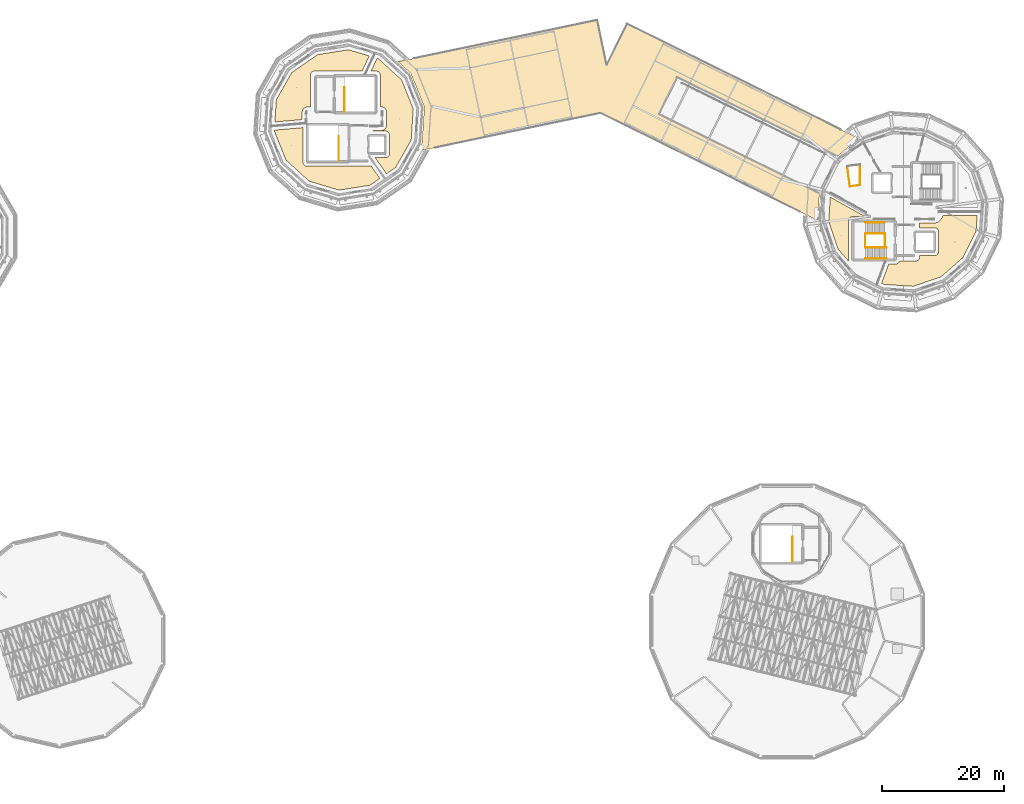
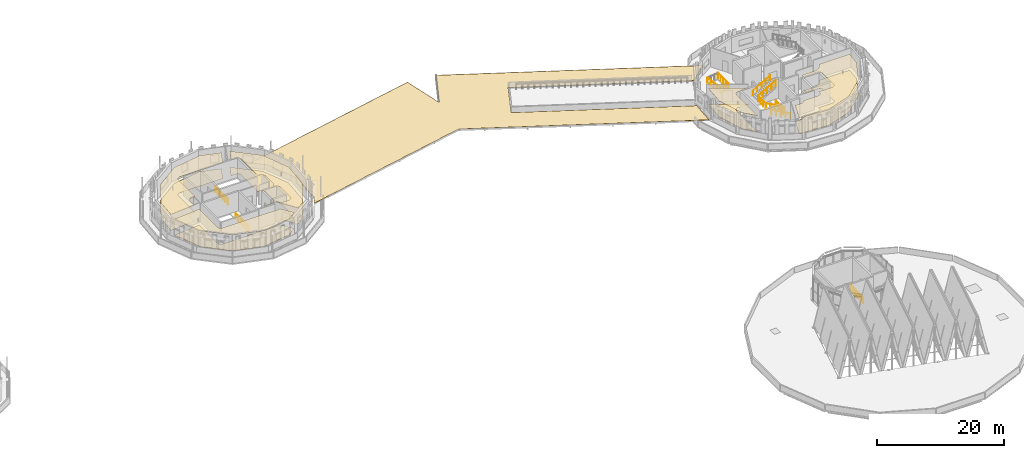
# One storey, part 50 of 51: 12 railings, 11 coverings.
"""IFC4 building model written with IfcOpenShell, lengths in metres."""

from ifc_helpers import new_model, si_unit, direction, frame, origin, origin_2d, place, context, subcontext, project, spatial, polyline, circle, outline, extrude, material, layer, layer_set, type_object, element, save


model = new_model("IFC4")

# Units and contexts
model_context = context("Model", 3, precision=1e-05, world=origin(), true_north=direction((0.0, 1.0)))
body_context = subcontext(model_context, "Body", "Model", "MODEL_VIEW")
ifc_project = project(units=[si_unit("LENGTHUNIT", "METRE"), si_unit("AREAUNIT", "SQUARE_METRE"), si_unit("VOLUMEUNIT", "CUBIC_METRE"), si_unit("PLANEANGLEUNIT", "RADIAN"), si_unit("MASSUNIT", "GRAM", prefix="KILO")], contexts=[model_context])

# Site, building, storey
site_placement = place(None, origin())
site = spatial("IfcSite", under=ifc_project, at=site_placement, CompositionType="ELEMENT")
building_placement = place(site_placement, origin())
building = spatial("IfcBuilding", under=site, at=building_placement, Name="Wrenclough Park School", CompositionType="ELEMENT")
storey_placement = place(building_placement, frame((0.0, 0.0, 16.800048828125)))
storey = spatial("IfcBuildingStorey", under=building, at=storey_placement, Name="L04", CompositionType="ELEMENT", Elevation=16.800048828125)

# Coverings
ifc_material_1 = material(Name="Patinated copper-alloy standing-seam eave cladding", Category="aluminium")
ifc_layer_1 = layer(ifc_material_1, 0.044921875)
ifc_layer_set_1 = layer_set([ifc_layer_1], Name="Patinated copper-alloy standing-seam eave cladding")
covering_type_1 = type_object("IfcCoveringType", Name="ENV-COV-EAVE", PredefinedType="CLADDING", material=ifc_layer_set_1)
covering_1_placement = place(storey_placement, origin())
element("IfcCovering", 1, at=covering_1_placement, inside=storey, type_object=covering_type_1, Name="Patinated copper overhanging eave cladding EAVE-W45-L04", PredefinedType="CLADDING", context=body_context, shape_type="SweptSolid", body=[
    extrude(outline(polyline([(96.1748046875, 110.593017578125), (95.780517578125, 104.681884765625), (95.039306640625, 103.357421875), (124.998046875, 109.627685546875), (160.504638671875, 92.0576171875), (160.789794921875, 96.40771484375), (134.454345703125, 109.4072265625), (137.450927734375, 115.575439453125), (163.853515625, 102.612548828125), (167.151123046875, 105.504638671875), (129.326416015625, 124.221923828125), (126.0, 117.5), (124.46337890625, 124.8408203125), (91.8681640625, 118.018798828125), (93.968994140625, 116.091796875), (96.1748046875, 110.593017578125)])), origin(), (0.0, 0.0, 1.0), 0.044921875),
])
ifc_material_2 = material(Name="Class A mineral-fibre acoustic ceiling raft", Category="gypsum")
ifc_layer_2 = layer(ifc_material_2, 0.044921875)
ifc_layer_set_2 = layer_set([ifc_layer_2], Name="Class A mineral-fibre acoustic ceiling raft")
covering_type_2 = type_object("IfcCoveringType", Name="INT-COV-CEIL", PredefinedType="CEILING", material=ifc_layer_set_2)
covering_2_placement = place(storey_placement, frame((0.0, 0.0, 3.054931640625)))
element("IfcCovering", 2, at=covering_2_placement, inside=storey, type_object=covering_type_2, Name="GCSE Seminar Classroom 1 acoustic ceiling raft", PredefinedType="CEILING", context=body_context, shape_type="SweptSolid", body=[
    extrude(outline(polyline([(77.00390625, 110.60009765625), (77.530029296875, 110.5966796875), (77.530029296875, 115.820068359375), (77.54248046875, 115.94677734375), (77.57958984375, 116.068603515625), (77.639404296875, 116.18115234375), (77.677490234375, 116.232421875), (77.767578125, 116.322509765625), (77.87353515625, 116.393310546875), (77.9912109375, 116.44189453125), (78.05322265625, 116.45751953125), (78.179931640625, 116.469970703125), (85.999267578125, 116.469970703125), (87.16259765625, 118.964599609375), (83.774169921875, 119.982177734375), (78.715576171875, 119.180908203125), (74.505615234375, 116.26416015625), (71.97802734375, 111.809814453125), (71.732421875, 108.166748046875), (76.203369140625, 108.557861328125), (76.202392578125, 109.8544921875), (76.22119140625, 109.965087890625), (76.27197265625, 110.11376953125), (76.326416015625, 110.229248046875), (76.36181640625, 110.2822265625), (76.447509765625, 110.376708984375), (76.550048828125, 110.452880859375), (76.77587890625, 110.560302734375), (76.88818359375, 110.59033203125), (77.00390625, 110.60009765625)])), origin(), (0.0, 0.0, 1.0), 0.044921875),
])
covering_3_placement = place(storey_placement, frame((0.0, 0.0, 3.054931640625)))
element("IfcCovering", 3, at=covering_3_placement, inside=storey, type_object=covering_type_2, Name="Environmental Science Laboratory acoustic ceiling raft", PredefinedType="CEILING", context=body_context, shape_type="SweptSolid", body=[
    extrude(outline(polyline([(76.330078125, 101.580078125), (76.330078125, 107.24365234375), (71.642578125, 106.833740234375), (71.633544921875, 106.69970703125), (73.540283203125, 101.9462890625), (77.320556640625, 98.490966796875), (82.225830078125, 97.017822265625), (87.284423828125, 97.819091796875), (88.901123046875, 98.939208984375), (87.4453125, 101.01806640625), (87.36865234375, 100.9794921875), (87.30859375, 100.9580078125), (87.246826171875, 100.9423828125), (87.1201171875, 100.929931640625), (76.916259765625, 100.93310546875), (76.791259765625, 100.9580078125), (76.673583984375, 101.0068359375), (76.567626953125, 101.077392578125), (76.4775390625, 101.16748046875), (76.40673828125, 101.273681640625), (76.35791015625, 101.391357421875), (76.342529296875, 101.453125), (76.330078125, 101.580078125)])), origin(), (0.0, 0.0, 1.0), 0.044921875),
])
covering_4_placement = place(storey_placement, frame((0.0, 0.0, 3.054931640625)))
element("IfcCovering", 4, at=covering_4_placement, inside=storey, type_object=covering_type_2, Name="GCSE Seminar Classroom 2 acoustic ceiling raft", PredefinedType="CEILING", context=body_context, shape_type="SweptSolid", body=[
    extrude(outline(polyline([(89.198974609375, 106.800048828125), (87.77001953125, 106.802001953125), (87.77001953125, 106.669921875), (89.8837890625, 106.6669921875), (90.0087890625, 106.64208984375), (90.068603515625, 106.62060546875), (90.18115234375, 106.560546875), (90.279541015625, 106.4794921875), (90.360595703125, 106.381103515625), (90.42041015625, 106.268798828125), (90.44189453125, 106.208740234375), (90.45751953125, 106.146728515625), (90.469970703125, 106.02001953125), (90.469970703125, 102.97998046875), (90.45751953125, 102.853271484375), (90.44189453125, 102.791259765625), (90.393310546875, 102.673583984375), (90.360595703125, 102.618896484375), (90.279541015625, 102.5205078125), (90.18115234375, 102.439453125), (90.12646484375, 102.40673828125), (90.0087890625, 102.35791015625), (89.94677734375, 102.342529296875), (89.820068359375, 102.330078125), (88.13818359375, 102.330078125), (89.986083984375, 99.69091796875), (91.494384765625, 100.73583984375), (94.02197265625, 105.190185546875), (94.366455078125, 110.30029296875), (92.459716796875, 115.0537109375), (88.679443359375, 118.509033203125), (88.440185546875, 118.5810546875), (87.455810546875, 116.469970703125), (88.320068359375, 116.469970703125), (88.44677734375, 116.45751953125), (88.5087890625, 116.44189453125), (88.568603515625, 116.42041015625), (88.68115234375, 116.360595703125), (88.732421875, 116.322509765625), (88.822509765625, 116.232421875), (88.860595703125, 116.18115234375), (88.92041015625, 116.068603515625), (88.95751953125, 115.94677734375), (88.969970703125, 115.820068359375), (88.969970703125, 110.5966796875), (89.25634765625, 110.59765625), (89.38623046875, 110.57275390625), (89.6123046875, 110.4794921875), (89.718505859375, 110.40869140625), (89.765625, 110.36572265625), (89.8466796875, 110.26708984375), (89.90673828125, 110.154541015625), (89.97216796875, 109.988525390625), (89.987548828125, 109.9267578125), (90.0, 109.800048828125), (90.0, 107.60009765625), (89.987548828125, 107.473388671875), (89.97216796875, 107.41162109375), (89.90673828125, 107.245361328125), (89.8466796875, 107.1328125), (89.765625, 107.0341796875), (89.718505859375, 106.991455078125), (89.6123046875, 106.920654296875), (89.448486328125, 106.849365234375), (89.326171875, 106.8125), (89.198974609375, 106.800048828125)])), origin(), (0.0, 0.0, 1.0), 0.044921875),
])
covering_5_placement = place(storey_placement, frame((0.0, 0.0, 3.054931640625)))
element("IfcCovering", 5, at=covering_5_placement, inside=storey, type_object=covering_type_2, Name="Sixth Form Reference Library acoustic ceiling raft", PredefinedType="CEILING", context=body_context, shape_type="SweptSolid", body=[
    extrude(outline(polyline([(168.00927734375, 92.836181640625), (162.552978515625, 95.8720703125), (162.2919921875, 91.892822265625), (163.836181640625, 87.343505859375), (165.564697265625, 85.37255859375), (165.54248046875, 85.453125), (165.530029296875, 85.580078125), (165.530029296875, 92.02001953125), (165.54248046875, 92.146728515625), (165.55810546875, 92.208740234375), (165.606689453125, 92.326416015625), (165.677490234375, 92.432373046875), (165.720458984375, 92.4794921875), (165.81884765625, 92.560546875), (165.931396484375, 92.62060546875), (165.9912109375, 92.64208984375), (166.05322265625, 92.657470703125), (166.179931640625, 92.669921875), (168.185791015625, 92.669921875), (168.00927734375, 92.836181640625)])), origin(), (0.0, 0.0, 1.0), 0.044921875),
])
covering_6_placement = place(storey_placement, frame((0.0, 0.0, 3.054931640625)))
element("IfcCovering", 6, at=covering_6_placement, inside=storey, type_object=covering_type_2, Name="Sixth Form Digital Study Library acoustic ceiling raft", PredefinedType="CEILING", context=body_context, shape_type="SweptSolid", body=[
    extrude(outline(polyline([(176.52001953125, 85.429931640625), (173.851806640625, 85.429931640625), (173.820556640625, 85.331298828125), (173.793212890625, 85.273681640625), (173.722412109375, 85.16748046875), (173.6796875, 85.120361328125), (173.5810546875, 85.03955078125), (173.46875, 84.9794921875), (173.40869140625, 84.9580078125), (173.3466796875, 84.9423828125), (173.219970703125, 84.929931640625), (172.09375, 84.929931640625), (170.94921875, 81.78564453125), (171.31298828125, 81.606201171875), (176.107177734375, 81.2919921875), (180.656494140625, 82.836181640625), (184.268798828125, 86.00390625), (186.393798828125, 90.31298828125), (186.56005859375, 92.85009765625), (180.950927734375, 92.85009765625), (180.864990234375, 92.588623046875), (180.687255859375, 92.283447265625), (180.643798828125, 92.2197265625), (180.593017578125, 92.16162109375), (180.40771484375, 91.978515625), (180.18115234375, 91.822998046875), (180.1123046875, 91.782958984375), (180.039306640625, 91.751708984375), (179.779296875, 91.65869140625), (179.708740234375, 91.6376953125), (179.63623046875, 91.625), (179.562744140625, 91.62060546875), (177.16259765625, 91.611572265625), (177.169921875, 91.52001953125), (177.169921875, 90.8701171875), (179.68359375, 90.866943359375), (179.80859375, 90.842041015625), (179.86865234375, 90.820556640625), (179.981201171875, 90.760498046875), (180.07958984375, 90.6796875), (180.160400390625, 90.5810546875), (180.193115234375, 90.5263671875), (180.241943359375, 90.40869140625), (180.257568359375, 90.3466796875), (180.27001953125, 90.219970703125), (180.266845703125, 86.916259765625), (180.257568359375, 86.853271484375), (180.220458984375, 86.731201171875), (180.193115234375, 86.673583984375), (180.12255859375, 86.567626953125), (180.07958984375, 86.5205078125), (179.981201171875, 86.439453125), (179.86865234375, 86.37939453125), (179.746826171875, 86.342529296875), (179.6201171875, 86.330078125), (177.169921875, 86.330078125), (177.169921875, 86.080078125), (177.157470703125, 85.953125), (177.12060546875, 85.831298828125), (177.060546875, 85.718994140625), (177.0224609375, 85.66748046875), (176.932373046875, 85.577392578125), (176.826416015625, 85.5068359375), (176.708740234375, 85.4580078125), (176.646728515625, 85.4423828125), (176.52001953125, 85.429931640625)])), origin(), (0.0, 0.0, 1.0), 0.044921875),
])
ifc_material_3 = material(Name="Acoustic natural linoleum school flooring", Category="wood")
ifc_layer_3 = layer(ifc_material_3, 0.014892578125)
ifc_layer_set_3 = layer_set([ifc_layer_3], Name="Acoustic natural linoleum school flooring")
covering_type_3 = type_object("IfcCoveringType", Name="INT-COV-FLOOR1", PredefinedType="FLOORING", material=ifc_layer_set_3)
covering_7_placement = place(storey_placement, origin())
element("IfcCovering", 7, at=covering_7_placement, inside=storey, type_object=covering_type_3, Name="GCSE Seminar Classroom 1 floor finish", PredefinedType="FLOORING", context=body_context, shape_type="SweptSolid", body=[
    extrude(outline(polyline([(77.00390625, 110.60009765625), (77.530029296875, 110.5966796875), (77.530029296875, 115.820068359375), (77.54248046875, 115.94677734375), (77.57958984375, 116.068603515625), (77.639404296875, 116.18115234375), (77.677490234375, 116.232421875), (77.767578125, 116.322509765625), (77.87353515625, 116.393310546875), (77.9912109375, 116.44189453125), (78.05322265625, 116.45751953125), (78.179931640625, 116.469970703125), (85.999267578125, 116.469970703125), (87.16259765625, 118.964599609375), (83.774169921875, 119.982177734375), (78.715576171875, 119.180908203125), (74.505615234375, 116.26416015625), (71.97802734375, 111.809814453125), (71.732421875, 108.166748046875), (76.203369140625, 108.557861328125), (76.202392578125, 109.8544921875), (76.22119140625, 109.965087890625), (76.27197265625, 110.11376953125), (76.326416015625, 110.229248046875), (76.36181640625, 110.2822265625), (76.447509765625, 110.376708984375), (76.550048828125, 110.452880859375), (76.77587890625, 110.560302734375), (76.88818359375, 110.59033203125), (77.00390625, 110.60009765625)])), origin(), (0.0, 0.0, 1.0), 0.014892578125),
])
covering_8_placement = place(storey_placement, origin())
element("IfcCovering", 8, at=covering_8_placement, inside=storey, type_object=covering_type_3, Name="Environmental Science Laboratory floor finish", PredefinedType="FLOORING", context=body_context, shape_type="SweptSolid", body=[
    extrude(outline(polyline([(76.330078125, 101.580078125), (76.330078125, 107.24365234375), (71.642578125, 106.833740234375), (71.633544921875, 106.69970703125), (73.540283203125, 101.9462890625), (77.320556640625, 98.490966796875), (82.225830078125, 97.017822265625), (87.284423828125, 97.819091796875), (88.901123046875, 98.939208984375), (87.4453125, 101.01806640625), (87.36865234375, 100.9794921875), (87.30859375, 100.9580078125), (87.246826171875, 100.9423828125), (87.1201171875, 100.929931640625), (76.916259765625, 100.93310546875), (76.791259765625, 100.9580078125), (76.673583984375, 101.0068359375), (76.567626953125, 101.077392578125), (76.4775390625, 101.16748046875), (76.40673828125, 101.273681640625), (76.35791015625, 101.391357421875), (76.342529296875, 101.453125), (76.330078125, 101.580078125)])), origin(), (0.0, 0.0, 1.0), 0.014892578125),
])
covering_9_placement = place(storey_placement, origin())
element("IfcCovering", 9, at=covering_9_placement, inside=storey, type_object=covering_type_3, Name="GCSE Seminar Classroom 2 floor finish", PredefinedType="FLOORING", context=body_context, shape_type="SweptSolid", body=[
    extrude(outline(polyline([(89.198974609375, 106.800048828125), (87.77001953125, 106.802001953125), (87.77001953125, 106.669921875), (89.8837890625, 106.6669921875), (90.0087890625, 106.64208984375), (90.068603515625, 106.62060546875), (90.18115234375, 106.560546875), (90.279541015625, 106.4794921875), (90.360595703125, 106.381103515625), (90.42041015625, 106.268798828125), (90.44189453125, 106.208740234375), (90.45751953125, 106.146728515625), (90.469970703125, 106.02001953125), (90.469970703125, 102.97998046875), (90.45751953125, 102.853271484375), (90.44189453125, 102.791259765625), (90.393310546875, 102.673583984375), (90.360595703125, 102.618896484375), (90.279541015625, 102.5205078125), (90.18115234375, 102.439453125), (90.12646484375, 102.40673828125), (90.0087890625, 102.35791015625), (89.94677734375, 102.342529296875), (89.820068359375, 102.330078125), (88.13818359375, 102.330078125), (89.986083984375, 99.69091796875), (91.494384765625, 100.73583984375), (94.02197265625, 105.190185546875), (94.366455078125, 110.30029296875), (92.459716796875, 115.0537109375), (88.679443359375, 118.509033203125), (88.440185546875, 118.5810546875), (87.455810546875, 116.469970703125), (88.320068359375, 116.469970703125), (88.44677734375, 116.45751953125), (88.5087890625, 116.44189453125), (88.568603515625, 116.42041015625), (88.68115234375, 116.360595703125), (88.732421875, 116.322509765625), (88.822509765625, 116.232421875), (88.860595703125, 116.18115234375), (88.92041015625, 116.068603515625), (88.95751953125, 115.94677734375), (88.969970703125, 115.820068359375), (88.969970703125, 110.5966796875), (89.25634765625, 110.59765625), (89.38623046875, 110.57275390625), (89.6123046875, 110.4794921875), (89.718505859375, 110.40869140625), (89.765625, 110.36572265625), (89.8466796875, 110.26708984375), (89.90673828125, 110.154541015625), (89.97216796875, 109.988525390625), (89.987548828125, 109.9267578125), (90.0, 109.800048828125), (90.0, 107.60009765625), (89.987548828125, 107.473388671875), (89.97216796875, 107.41162109375), (89.90673828125, 107.245361328125), (89.8466796875, 107.1328125), (89.765625, 107.0341796875), (89.718505859375, 106.991455078125), (89.6123046875, 106.920654296875), (89.448486328125, 106.849365234375), (89.326171875, 106.8125), (89.198974609375, 106.800048828125)])), origin(), (0.0, 0.0, 1.0), 0.014892578125),
])
covering_10_placement = place(storey_placement, origin())
element("IfcCovering", 10, at=covering_10_placement, inside=storey, type_object=covering_type_3, Name="Sixth Form Reference Library floor finish", PredefinedType="FLOORING", context=body_context, shape_type="SweptSolid", body=[
    extrude(outline(polyline([(168.00927734375, 92.836181640625), (162.552978515625, 95.8720703125), (162.2919921875, 91.892822265625), (163.836181640625, 87.343505859375), (165.564697265625, 85.37255859375), (165.54248046875, 85.453125), (165.530029296875, 85.580078125), (165.530029296875, 92.02001953125), (165.54248046875, 92.146728515625), (165.55810546875, 92.208740234375), (165.606689453125, 92.326416015625), (165.677490234375, 92.432373046875), (165.720458984375, 92.4794921875), (165.81884765625, 92.560546875), (165.931396484375, 92.62060546875), (165.9912109375, 92.64208984375), (166.05322265625, 92.657470703125), (166.179931640625, 92.669921875), (168.185791015625, 92.669921875), (168.00927734375, 92.836181640625)])), origin(), (0.0, 0.0, 1.0), 0.014892578125),
])
covering_11_placement = place(storey_placement, origin())
element("IfcCovering", 11, at=covering_11_placement, inside=storey, type_object=covering_type_3, Name="Sixth Form Digital Study Library floor finish", PredefinedType="FLOORING", context=body_context, shape_type="SweptSolid", body=[
    extrude(outline(polyline([(176.52001953125, 85.429931640625), (173.851806640625, 85.429931640625), (173.820556640625, 85.331298828125), (173.793212890625, 85.273681640625), (173.722412109375, 85.16748046875), (173.6796875, 85.120361328125), (173.5810546875, 85.03955078125), (173.46875, 84.9794921875), (173.40869140625, 84.9580078125), (173.3466796875, 84.9423828125), (173.219970703125, 84.929931640625), (172.09375, 84.929931640625), (170.94921875, 81.78564453125), (171.31298828125, 81.606201171875), (176.107177734375, 81.2919921875), (180.656494140625, 82.836181640625), (184.268798828125, 86.00390625), (186.393798828125, 90.31298828125), (186.56005859375, 92.85009765625), (180.950927734375, 92.85009765625), (180.864990234375, 92.588623046875), (180.687255859375, 92.283447265625), (180.643798828125, 92.2197265625), (180.593017578125, 92.16162109375), (180.40771484375, 91.978515625), (180.18115234375, 91.822998046875), (180.1123046875, 91.782958984375), (180.039306640625, 91.751708984375), (179.779296875, 91.65869140625), (179.708740234375, 91.6376953125), (179.63623046875, 91.625), (179.562744140625, 91.62060546875), (177.16259765625, 91.611572265625), (177.169921875, 91.52001953125), (177.169921875, 90.8701171875), (179.68359375, 90.866943359375), (179.80859375, 90.842041015625), (179.86865234375, 90.820556640625), (179.981201171875, 90.760498046875), (180.07958984375, 90.6796875), (180.160400390625, 90.5810546875), (180.193115234375, 90.5263671875), (180.241943359375, 90.40869140625), (180.257568359375, 90.3466796875), (180.27001953125, 90.219970703125), (180.266845703125, 86.916259765625), (180.257568359375, 86.853271484375), (180.220458984375, 86.731201171875), (180.193115234375, 86.673583984375), (180.12255859375, 86.567626953125), (180.07958984375, 86.5205078125), (179.981201171875, 86.439453125), (179.86865234375, 86.37939453125), (179.746826171875, 86.342529296875), (179.6201171875, 86.330078125), (177.169921875, 86.330078125), (177.169921875, 86.080078125), (177.157470703125, 85.953125), (177.12060546875, 85.831298828125), (177.060546875, 85.718994140625), (177.0224609375, 85.66748046875), (176.932373046875, 85.577392578125), (176.826416015625, 85.5068359375), (176.708740234375, 85.4580078125), (176.646728515625, 85.4423828125), (176.52001953125, 85.429931640625)])), origin(), (0.0, 0.0, 1.0), 0.014892578125),
])

# Railings
ifc_material_4 = material(Name="Powder-coated steel vertical-baluster stair and atrium guard", Category="steel")
railing_type_1 = type_object("IfcRailingType", Name="INT-RL-GD1120", PredefinedType="GUARDRAIL", material=ifc_material_4)
railing_1_placement = place(storey_placement, frame((156.39501953125, 36.239990234375, 0.0)))
element("IfcRailing", 12, at=railing_1_placement, inside=storey, type_object=railing_type_1, Name="ST-01 L04 top landing guard", PredefinedType="GUARDRAIL", context=body_context, shape_type="SweptSolid", body=[
    extrude(circle(Radius=0.02392578125, at=origin_2d()), frame((0.0, 0.0, 1.09619140625), z_axis=(0.0, 1.0, 0.0), x_axis=(-1.0, 0.0, 0.0)), (0.0, 0.0, 1.0), 4.110107421875),
    extrude(circle(Radius=0.02099609375, at=origin_2d()), origin(), (0.0, 0.0, 1.0), 1.072021484375),
    extrude(circle(Radius=0.02099609375, at=origin_2d()), frame((0.0, 0.822021484375, 0.0)), (0.0, 0.0, 1.0), 1.072021484375),
    extrude(circle(Radius=0.02099609375, at=origin_2d()), frame((0.0, 1.64404296875, 0.0)), (0.0, 0.0, 1.0), 1.072021484375),
    extrude(circle(Radius=0.02099609375, at=origin_2d()), frame((0.0, 2.466064453125, 0.0)), (0.0, 0.0, 1.0), 1.072021484375),
    extrude(circle(Radius=0.02099609375, at=origin_2d()), frame((0.0, 3.2880859375, 0.0)), (0.0, 0.0, 1.0), 1.072021484375),
    extrude(circle(Radius=0.02099609375, at=origin_2d()), frame((0.0, 4.110107421875, 0.0)), (0.0, 0.0, 1.0), 1.072021484375),
])
for number, where, name in (
    (13, (82.195068359375, 101.840087890625, 0.0), "ST-04 L04 top landing guard"),
    (14, (83.10498046875, 109.840087890625, 0.0), "ST-08 L04 top landing guard"),
):
    element("IfcRailing", number, at=place(storey_placement, frame(where)), inside=storey, type_object=railing_type_1, Name=name, PredefinedType="GUARDRAIL", context=body_context, shape_type="SweptSolid", body=[
        extrude(circle(Radius=0.02392578125, at=origin_2d()), frame((0.0, 0.0, 1.09619140625), z_axis=(0.0, 1.0, 0.0), x_axis=(-1.0, 0.0, 0.0)), (0.0, 0.0, 1.0), 4.010009765625),
        extrude(circle(Radius=0.02099609375, at=origin_2d()), origin(), (0.0, 0.0, 1.0), 1.072021484375),
        extrude(circle(Radius=0.02099609375, at=origin_2d()), frame((0.0, 0.802001953125, 0.0)), (0.0, 0.0, 1.0), 1.072021484375),
        extrude(circle(Radius=0.02099609375, at=origin_2d()), frame((0.0, 1.60400390625, 0.0)), (0.0, 0.0, 1.0), 1.072021484375),
        extrude(circle(Radius=0.02099609375, at=origin_2d()), frame((0.0, 2.406005859375, 0.0)), (0.0, 0.0, 1.0), 1.072021484375),
        extrude(circle(Radius=0.02099609375, at=origin_2d()), frame((0.0, 3.2080078125, 0.0)), (0.0, 0.0, 1.0), 1.072021484375),
        extrude(circle(Radius=0.02099609375, at=origin_2d()), frame((0.0, 4.010009765625, 0.0)), (0.0, 0.0, 1.0), 1.072021484375),
    ])
railing_2_placement = place(storey_placement, frame((171.4951171875, 87.64990234375, 0.0)))
element("IfcRailing", 15, at=railing_2_placement, inside=storey, type_object=railing_type_1, Name="ST-05 L04 well guard 1", PredefinedType="GUARDRAIL", context=body_context, shape_type="SweptSolid", body=[
    extrude(circle(Radius=0.02392578125, at=origin_2d()), frame((0.0, 0.0, 1.09619140625), z_axis=(0.0, 1.0, 0.0), x_axis=(-1.0, 0.0, 0.0)), (0.0, 0.0, 1.0), 2.300048828125),
    extrude(circle(Radius=0.02099609375, at=origin_2d()), origin(), (0.0, 0.0, 1.0), 1.072021484375),
    extrude(circle(Radius=0.02099609375, at=origin_2d()), frame((0.0, 0.7666015625, 0.0)), (0.0, 0.0, 1.0), 1.072021484375),
    extrude(circle(Radius=0.02099609375, at=origin_2d()), frame((0.0, 1.533447265625, 0.0)), (0.0, 0.0, 1.0), 1.072021484375),
    extrude(circle(Radius=0.02099609375, at=origin_2d()), frame((0.0, 2.300048828125, 0.0)), (0.0, 0.0, 1.0), 1.072021484375),
])
railing_3_placement = place(storey_placement, frame((171.739990234375, 87.64990234375, 0.159912109375)))
element("IfcRailing", 16, at=railing_3_placement, inside=storey, type_object=railing_type_1, Name="ST-05 L04 well guard 2", PredefinedType="GUARDRAIL", context=body_context, shape_type="SweptSolid", body=[
    extrude(circle(Radius=0.02392578125, at=origin_2d()), frame((0.0, 0.0, 1.09619140625), z_axis=(-0.871987514779, 0.0, 0.489528113665), x_axis=(0.0, -1.0, 0.0)), (0.0, 0.0, 1.0), 3.921875),
    extrude(circle(Radius=0.02099609375, at=origin_2d()), origin(), (0.0, 0.0, 1.0), 1.072021484375),
    extrude(circle(Radius=0.02099609375, at=origin_2d()), frame((-0.85498046875, 0.0, 0.47998046875)), (0.0, 0.0, 1.0), 1.072021484375),
    extrude(circle(Radius=0.02099609375, at=origin_2d()), frame((-1.7099609375, 0.0, 0.9599609375)), (0.0, 0.0, 1.0), 1.072021484375),
    extrude(circle(Radius=0.02099609375, at=origin_2d()), frame((-2.56494140625, 0.0, 1.43994140625)), (0.0, 0.0, 1.0), 1.072021484375),
    extrude(circle(Radius=0.02099609375, at=origin_2d()), frame((-3.419921875, 0.0, 1.919921875)), (0.0, 0.0, 1.0), 1.072021484375),
])
railing_4_placement = place(storey_placement, frame((168.280029296875, 87.64990234375, 2.079833984375)))
element("IfcRailing", 17, at=railing_4_placement, inside=storey, type_object=railing_type_1, Name="ST-05 L04 well guard 3", PredefinedType="GUARDRAIL", context=body_context, shape_type="SweptSolid", body=[
    extrude(circle(Radius=0.02392578125, at=origin_2d()), frame((0.0, 0.0, 1.09619140625), z_axis=(0.0, 1.0, 0.0), x_axis=(-1.0, 0.0, 0.0)), (0.0, 0.0, 1.0), 2.300048828125),
    extrude(circle(Radius=0.02099609375, at=origin_2d()), origin(), (0.0, 0.0, 1.0), 1.072021484375),
    extrude(circle(Radius=0.02099609375, at=origin_2d()), frame((0.0, 0.7666015625, 0.0)), (0.0, 0.0, 1.0), 1.072021484375),
    extrude(circle(Radius=0.02099609375, at=origin_2d()), frame((0.0, 1.533447265625, 0.0)), (0.0, 0.0, 1.0), 1.072021484375),
    extrude(circle(Radius=0.02099609375, at=origin_2d()), frame((0.0, 2.300048828125, 0.0)), (0.0, 0.0, 1.0), 1.072021484375),
])
railing_5_placement = place(storey_placement, frame((168.320068359375, 89.949951171875, 2.239990234375)))
element("IfcRailing", 18, at=railing_5_placement, inside=storey, type_object=railing_type_1, Name="ST-05 L04 well guard 4", PredefinedType="GUARDRAIL", context=body_context, shape_type="SweptSolid", body=[
    extrude(circle(Radius=0.02392578125, at=origin_2d()), frame((0.0, 0.0, 1.09619140625), z_axis=(0.871983276844, 0.0, 0.489535662547), x_axis=(0.0, 1.0, 0.0)), (0.0, 0.0, 1.0), 3.59521484375),
    extrude(circle(Radius=0.02099609375, at=origin_2d()), origin(), (0.0, 0.0, 1.0), 1.072021484375),
    extrude(circle(Radius=0.02099609375, at=origin_2d()), frame((0.78369140625, 0.0, 0.43994140625)), (0.0, 0.0, 1.0), 1.072021484375),
    extrude(circle(Radius=0.02099609375, at=origin_2d()), frame((1.5673828125, 0.0, 0.8798828125)), (0.0, 0.0, 1.0), 1.072021484375),
    extrude(circle(Radius=0.02099609375, at=origin_2d()), frame((2.351318359375, 0.0, 1.320068359375)), (0.0, 0.0, 1.0), 1.072021484375),
    extrude(circle(Radius=0.02099609375, at=origin_2d()), frame((3.135009765625, 0.0, 1.760009765625)), (0.0, 0.0, 1.0), 1.072021484375),
])
railing_6_placement = place(storey_placement, frame((165.787109375, 97.62939453125, 0.0)))
element("IfcRailing", 19, at=railing_6_placement, inside=storey, type_object=railing_type_1, Name="D5 L04 void perimeter guard 1.1", PredefinedType="GUARDRAIL", context=body_context, shape_type="SweptSolid", body=[
    extrude(circle(Radius=0.02392578125, at=origin_2d()), frame((0.0, 0.0, 1.09619140625), z_axis=(0.99142917461, 0.130645289747, 0.0), x_axis=(-0.130645289747, 0.99142917461, 0.0)), (0.0, 0.0, 1.0), 1.6220703125),
    extrude(circle(Radius=0.02099609375, at=origin_2d()), origin(), (0.0, 0.0, 1.0), 1.072021484375),
    extrude(circle(Radius=0.02099609375, at=origin_2d()), frame((0.80419921875, 0.10595703125, 0.0)), (0.0, 0.0, 1.0), 1.072021484375),
    extrude(circle(Radius=0.02099609375, at=origin_2d()), frame((1.608154296875, 0.2119140625, 0.0)), (0.0, 0.0, 1.0), 1.072021484375),
])
railing_7_placement = place(storey_placement, frame((167.419921875, 97.869384765625, 0.0)))
element("IfcRailing", 20, at=railing_7_placement, inside=storey, type_object=railing_type_1, Name="D5 L04 void perimeter guard 1.2", PredefinedType="GUARDRAIL", context=body_context, shape_type="SweptSolid", body=[
    extrude(circle(Radius=0.02392578125, at=origin_2d()), frame((0.0, 0.0, 1.09619140625), z_axis=(0.0, 1.0, 0.0), x_axis=(-1.0, 0.0, 0.0)), (0.0, 0.0, 1.0), 3.319091796875),
    extrude(circle(Radius=0.02099609375, at=origin_2d()), origin(), (0.0, 0.0, 1.0), 1.072021484375),
    extrude(circle(Radius=0.02099609375, at=origin_2d()), frame((0.0, 0.829833984375, 0.0)), (0.0, 0.0, 1.0), 1.072021484375),
    extrude(circle(Radius=0.02099609375, at=origin_2d()), frame((0.0, 1.65966796875, 0.0)), (0.0, 0.0, 1.0), 1.072021484375),
    extrude(circle(Radius=0.02099609375, at=origin_2d()), frame((0.0, 2.4892578125, 0.0)), (0.0, 0.0, 1.0), 1.072021484375),
    extrude(circle(Radius=0.02099609375, at=origin_2d()), frame((0.0, 3.319091796875, 0.0)), (0.0, 0.0, 1.0), 1.072021484375),
])
railing_8_placement = place(storey_placement, frame((165.32958984375, 100.9130859375, 0.0)))
element("IfcRailing", 21, at=railing_8_placement, inside=storey, type_object=railing_type_1, Name="D5 L04 void perimeter guard 1.4", PredefinedType="GUARDRAIL", context=body_context, shape_type="SweptSolid", body=[
    extrude(circle(Radius=0.02392578125, at=origin_2d()), frame((0.0, 0.0, 1.09619140625), z_axis=(0.130515932273, -0.991446212068, 0.0), x_axis=(0.991446212068, 0.130515932273, 0.0)), (0.0, 0.0, 1.0), 3.290283203125),
    extrude(circle(Radius=0.02099609375, at=origin_2d()), origin(), (0.0, 0.0, 1.0), 1.072021484375),
    extrude(circle(Radius=0.02099609375, at=origin_2d()), frame((0.107421875, -0.8154296875, 0.0)), (0.0, 0.0, 1.0), 1.072021484375),
    extrude(circle(Radius=0.02099609375, at=origin_2d()), frame((0.21484375, -1.631103515625, 0.0)), (0.0, 0.0, 1.0), 1.072021484375),
    extrude(circle(Radius=0.02099609375, at=origin_2d()), frame((0.322021484375, -2.44677734375, 0.0)), (0.0, 0.0, 1.0), 1.072021484375),
    extrude(circle(Radius=0.02099609375, at=origin_2d()), frame((0.429443359375, -3.26220703125, 0.0)), (0.0, 0.0, 1.0), 1.072021484375),
])
ifc_material_5 = material(Name="Brushed stainless steel tubular handrail", Category="steel")
railing_type_2 = type_object("IfcRailingType", Name="INT-RL-HR950", PredefinedType="HANDRAIL", material=ifc_material_5)
railing_9_placement = place(storey_placement, frame((171.739990234375, 85.85009765625, 0.159912109375)))
element("IfcRailing", 22, at=railing_9_placement, inside=storey, type_object=railing_type_2, Name="ST-05 L04 pitch handrail 1", PredefinedType="HANDRAIL", context=body_context, shape_type="SweptSolid", body=[
    extrude(circle(Radius=0.02392578125, at=origin_2d()), frame((0.0, 0.0, 0.92578125), z_axis=(-0.871987514779, 0.0, 0.489528113665), x_axis=(0.0, -1.0, 0.0)), (0.0, 0.0, 1.0), 3.921875),
    extrude(circle(Radius=0.02099609375, at=origin_2d()), origin(), (0.0, 0.0, 1.0), 0.90185546875),
    extrude(circle(Radius=0.02099609375, at=origin_2d()), frame((-0.85498046875, 0.0, 0.47998046875)), (0.0, 0.0, 1.0), 0.90185546875),
    extrude(circle(Radius=0.02099609375, at=origin_2d()), frame((-1.7099609375, 0.0, 0.9599609375)), (0.0, 0.0, 1.0), 0.90185546875),
    extrude(circle(Radius=0.02099609375, at=origin_2d()), frame((-2.56494140625, 0.0, 1.43994140625)), (0.0, 0.0, 1.0), 0.90185546875),
    extrude(circle(Radius=0.02099609375, at=origin_2d()), frame((-3.419921875, 0.0, 1.919921875)), (0.0, 0.0, 1.0), 0.90185546875),
])
railing_10_placement = place(storey_placement, frame((168.320068359375, 91.75, 2.239990234375)))
element("IfcRailing", 23, at=railing_10_placement, inside=storey, type_object=railing_type_2, Name="ST-05 L04 pitch handrail 2", PredefinedType="HANDRAIL", context=body_context, shape_type="SweptSolid", body=[
    extrude(circle(Radius=0.02392578125, at=origin_2d()), frame((0.0, 0.0, 0.92578125), z_axis=(0.871983276844, 0.0, 0.489535662547), x_axis=(0.0, 1.0, 0.0)), (0.0, 0.0, 1.0), 3.59521484375),
    extrude(circle(Radius=0.02099609375, at=origin_2d()), origin(), (0.0, 0.0, 1.0), 0.90185546875),
    extrude(circle(Radius=0.02099609375, at=origin_2d()), frame((0.78369140625, 0.0, 0.43994140625)), (0.0, 0.0, 1.0), 0.90185546875),
    extrude(circle(Radius=0.02099609375, at=origin_2d()), frame((1.5673828125, 0.0, 0.8798828125)), (0.0, 0.0, 1.0), 0.90185546875),
    extrude(circle(Radius=0.02099609375, at=origin_2d()), frame((2.351318359375, 0.0, 1.320068359375)), (0.0, 0.0, 1.0), 0.90185546875),
    extrude(circle(Radius=0.02099609375, at=origin_2d()), frame((3.135009765625, 0.0, 1.760009765625)), (0.0, 0.0, 1.0), 0.90185546875),
])

save(model, "model.ifc")
